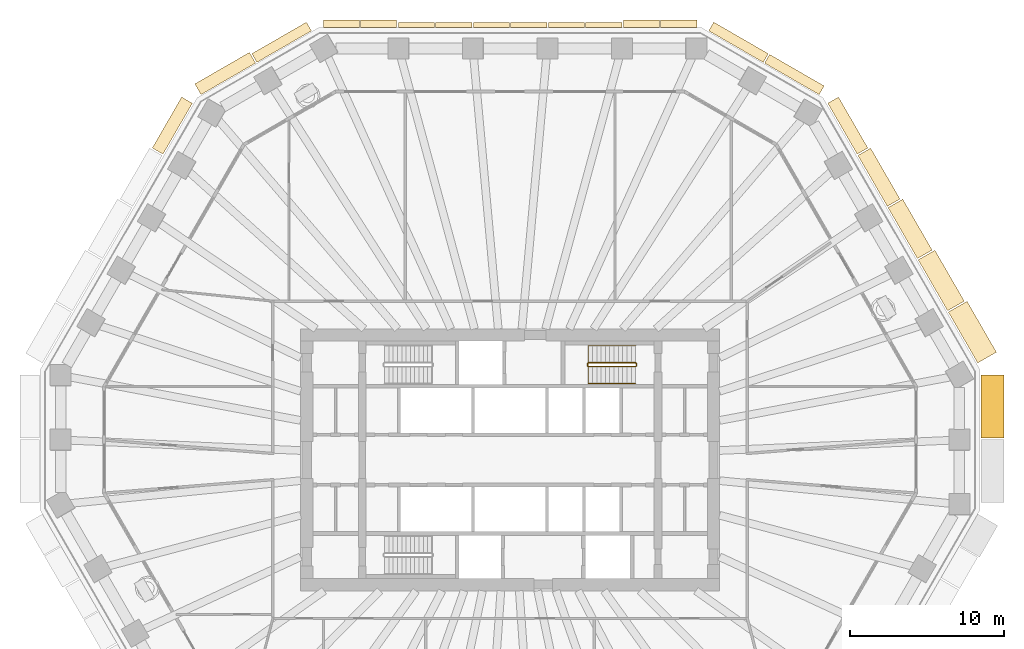
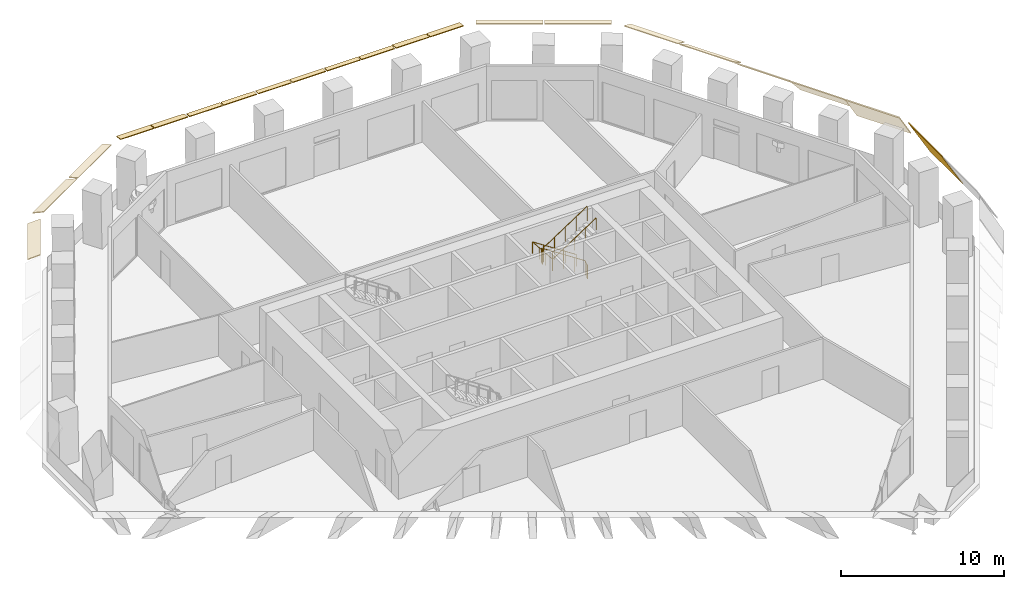
# One storey, part 10 of 12: 21 coverings, 2 railings.
"""IFC4 building model written with IfcOpenShell, lengths in metres."""

from ifc_helpers import new_model, si_unit, direction, frame, origin, origin_2d, place, context, subcontext, project, spatial, polyline, circle, outline, extrude, material, layer, layer_set, type_object, element, save


model = new_model("IFC4")

# Units and contexts
model_context = context("Model", 3, precision=1e-05, world=origin(), true_north=direction((0.0, 1.0)))
body_context = subcontext(model_context, "Body", "Model", "MODEL_VIEW")
ifc_project = project(units=[si_unit("LENGTHUNIT", "METRE"), si_unit("AREAUNIT", "SQUARE_METRE"), si_unit("VOLUMEUNIT", "CUBIC_METRE"), si_unit("PLANEANGLEUNIT", "RADIAN"), si_unit("MASSUNIT", "GRAM", prefix="KILO")], contexts=[model_context])

# Site, building, storey
site_placement = place(None, origin())
site = spatial("IfcSite", under=ifc_project, at=site_placement, CompositionType="ELEMENT")
building_placement = place(site_placement, origin())
building = spatial("IfcBuilding", under=site, at=building_placement, Name="Frailejon Research Tower", CompositionType="ELEMENT")
storey_placement = place(building_placement, frame((0.0, 0.0, 122.0)))
storey = spatial("IfcBuildingStorey", under=building, at=storey_placement, Name="L26", CompositionType="ELEMENT", Elevation=122.0)

# Coverings
ifc_material_1 = material(Name="Precast concrete C50/60", Category="concrete")
ifc_layer_1 = layer(ifc_material_1, 0.06005859375)
ifc_layer_set_1 = layer_set([ifc_layer_1], Name="Brim blade depth 1100")
covering_type_1 = type_object("IfcCoveringType", Name="Brim blade depth 1100", PredefinedType="CLADDING", material=ifc_layer_set_1)
covering_1_placement = place(storey_placement, frame((24.536376953125, 16.3671875, 4.25), z_axis=(0.500001217064, -0.866024701111, 0.0), x_axis=(0.866024701111, 0.500001217064, 0.0)))
element("IfcCovering", 1, at=covering_1_placement, inside=storey, type_object=covering_type_1, Name="Brim blade L26", PredefinedType="CLADDING", context=body_context, shape_type="SweptSolid", body=[
    extrude(outline(polyline([(0.0, -0.078369140625), (1.10009765625, -1.001220703125), (1.10009765625, -0.923095703125), (0.0, 0.0), (0.0, -0.078369140625)])), origin(), (0.0, 0.0, 1.0), 3.8125),
])
ifc_material_2 = material(Name="Precast concrete C50/60", Category="concrete")
ifc_layer_2 = layer(ifc_material_2, 0.06005859375)
ifc_layer_set_2 = layer_set([ifc_layer_2], Name="Brim blade depth 1250")
covering_type_2 = type_object("IfcCoveringType", Name="Brim blade depth 1250", PredefinedType="CLADDING", material=ifc_layer_set_2)
covering_2_placement = place(storey_placement, frame((26.49267578125, 12.97900390625, 4.25), z_axis=(0.499990149831, -0.866031090707, 0.0), x_axis=(0.866031090707, 0.499990149831, 0.0)))
element("IfcCovering", 2, at=covering_2_placement, inside=storey, type_object=covering_type_2, Name="Brim blade L26", PredefinedType="CLADDING", context=body_context, shape_type="SweptSolid", body=[
    extrude(outline(polyline([(0.0, -0.0888671875), (1.25, -1.452880859375), (1.25, -1.364013671875), (0.0, 0.0), (0.0, -0.0888671875)])), origin(), (0.0, 0.0, 1.0), 3.812744140625),
])
ifc_material_3 = material(Name="Precast concrete C50/60", Category="concrete")
ifc_layer_3 = layer(ifc_material_3, 0.06005859375)
ifc_layer_set_3 = layer_set([ifc_layer_3], Name="Brim blade depth 1400")
covering_type_3 = type_object("IfcCoveringType", Name="Brim blade depth 1400", PredefinedType="CLADDING", material=ifc_layer_set_3)
covering_3_placement = place(storey_placement, frame((28.448974609375, 9.59033203125, 4.25), z_axis=(0.500001217064, -0.866024701111, 0.0), x_axis=(0.866024701111, 0.500001217064, 0.0)))
element("IfcCovering", 3, at=covering_3_placement, inside=storey, type_object=covering_type_3, Name="Brim blade L26", PredefinedType="CLADDING", context=body_context, shape_type="SweptSolid", body=[
    extrude(outline(polyline([(0.0, -0.1044921875), (1.39990234375, -2.10400390625), (1.39990234375, -1.99951171875), (0.0, 0.0), (0.0, -0.1044921875)])), origin(), (0.0, 0.0, 1.0), 3.8125),
])
ifc_material_4 = material(Name="Precast concrete C50/60", Category="concrete")
ifc_layer_4 = layer(ifc_material_4, 0.06005859375)
ifc_layer_set_4 = layer_set([ifc_layer_4], Name="Brim blade depth 1500")
covering_type_4 = type_object("IfcCoveringType", Name="Brim blade depth 1500", PredefinedType="CLADDING", material=ifc_layer_set_4)
covering_4_placement = place(storey_placement, frame((30.56103515625, 5.520263671875, 4.25), z_axis=(0.0, -1.0, 0.0), x_axis=(1.0, 0.0, 0.0)))
element("IfcCovering", 4, at=covering_4_placement, inside=storey, type_object=covering_type_4, Name="Brim blade L26", PredefinedType="CLADDING", context=body_context, shape_type="SweptSolid", body=[
    extrude(outline(polyline([(0.0, -0.1201171875), (1.5, -2.718017578125), (1.5, -2.59814453125), (0.0, 0.0), (0.0, -0.1201171875)])), origin(), (0.0, 0.0, 1.0), 4.08740234375),
])
ifc_material_5 = material(Name="Precast concrete C50/60", Category="concrete")
ifc_layer_5 = layer(ifc_material_5, 0.06005859375)
ifc_layer_set_5 = layer_set([ifc_layer_5], Name="Brim blade depth 350")
covering_type_5 = type_object("IfcCoveringType", Name="Brim blade depth 350", PredefinedType="CLADDING", material=ifc_layer_set_5)
for number, where, z_axis, x_axis, name in (
    (5, (4.900634765625, 28.050048828125, 4.25), (1.0, 0.0, 0.0), (0.0, 1.0, 0.0), "Brim blade L26"),
    (6, (2.4853515625, 28.050048828125, 4.25), (1.0, 0.0, 0.0), (0.0, 1.0, 0.0), "Brim blade L26"),
    (7, (0.030029296875, 28.050048828125, 4.25), (1.0, 0.0, 0.0), (0.0, 1.0, 0.0), "Brim blade L26"),
    (8, (-2.38525390625, 28.050048828125, 4.25), (1.0, 0.0, 0.0), (0.0, 1.0, 0.0), "Brim blade L26"),
    (9, (-4.840576171875, 28.050048828125, 4.25), (1.0, 0.0, 0.0), (0.0, 1.0, 0.0), "Brim blade L26"),
    (10, (-7.255859375, 28.050048828125, 4.25), (1.0, 0.0, 0.0), (0.0, 1.0, 0.0), "Brim blade L26"),
):
    element("IfcCovering", number, at=place(storey_placement, frame(where, z_axis=z_axis, x_axis=x_axis)), inside=storey, type_object=covering_type_5, Name=name, PredefinedType="CLADDING", context=body_context, shape_type="SweptSolid", body=[
        extrude(outline(polyline([(0.0, -0.06005859375), (0.35009765625, -0.06005859375), (0.35009765625, 0.0), (0.0, 0.0), (0.0, -0.06005859375)])), origin(), (0.0, 0.0, 1.0), 2.355224609375),
    ])
ifc_material_6 = material(Name="Precast concrete C50/60", Category="concrete")
ifc_layer_6 = layer(ifc_material_6, 0.06005859375)
ifc_layer_set_6 = layer_set([ifc_layer_6], Name="Brim blade depth 500")
covering_type_6 = type_object("IfcCoveringType", Name="Brim blade depth 500", PredefinedType="CLADDING", material=ifc_layer_set_6)
for number, where, z_axis, x_axis, name in (
    (11, (9.771240234375, 28.050048828125, 4.25), (1.0, 0.0, 0.0), (0.0, 1.0, 0.0), "Brim blade L26"),
    (12, (7.35595703125, 28.050048828125, 4.25), (1.0, 0.0, 0.0), (0.0, 1.0, 0.0), "Brim blade L26"),
    (13, (-9.711181640625, 28.050048828125, 4.25), (1.0, 0.0, 0.0), (0.0, 1.0, 0.0), "Brim blade L26"),
    (14, (-12.12646484375, 28.050048828125, 4.25), (1.0, 0.0, 0.0), (0.0, 1.0, 0.0), "Brim blade L26"),
):
    element("IfcCovering", number, at=place(storey_placement, frame(where, z_axis=z_axis, x_axis=x_axis)), inside=storey, type_object=covering_type_6, Name=name, PredefinedType="CLADDING", context=body_context, shape_type="SweptSolid", body=[
        extrude(outline(polyline([(0.0, -0.060546875), (0.5, -0.130859375), (0.5, -0.0703125), (0.0, 0.0), (0.0, -0.060546875)])), origin(), (0.0, 0.0, 1.0), 2.355224609375),
    ])
ifc_material_7 = material(Name="Precast concrete C50/60", Category="concrete")
ifc_layer_7 = layer(ifc_material_7, 0.06005859375)
ifc_layer_set_7 = layer_set([ifc_layer_7], Name="Brim blade depth 650")
covering_type_7 = type_object("IfcCoveringType", Name="Brim blade depth 650", PredefinedType="CLADDING", material=ifc_layer_set_7)
covering_5_placement = place(storey_placement, frame((16.521484375, 25.750244140625, 4.25), z_axis=(0.866021344981, -0.500007029989, 0.0), x_axis=(0.500007029989, 0.866021344981, 0.0)))
element("IfcCovering", 15, at=covering_5_placement, inside=storey, type_object=covering_type_7, Name="Brim blade L26", PredefinedType="CLADDING", context=body_context, shape_type="SweptSolid", body=[
    extrude(outline(polyline([(0.0, -0.0625), (0.64990234375, -0.248779296875), (0.64990234375, -0.186279296875), (0.0, 0.0), (0.0, -0.0625)])), origin(), (0.0, 0.0, 1.0), 4.08740234375),
])
for number, where, z_axis, x_axis, name in (
    (16, (12.894775390625, 27.843994140625, 4.25), (0.866027315287, -0.499996689166, 0.0), (0.499996689166, 0.866027315287, 0.0), "Brim blade L26"),
    (17, (-16.434814453125, 25.80029296875, 4.25), (0.866027315287, 0.499996689166, 0.0), (-0.499996689166, 0.866027315287, 0.0), "Brim blade L26"),
):
    element("IfcCovering", number, at=place(storey_placement, frame(where, z_axis=z_axis, x_axis=x_axis)), inside=storey, type_object=covering_type_7, Name=name, PredefinedType="CLADDING", context=body_context, shape_type="SweptSolid", body=[
        extrude(outline(polyline([(0.0, -0.0625), (0.64990234375, -0.248779296875), (0.64990234375, -0.186279296875), (0.0, 0.0), (0.0, -0.0625)])), origin(), (0.0, 0.0, 1.0), 4.087646484375),
    ])
ifc_material_8 = material(Name="Precast concrete C50/60", Category="concrete")
ifc_layer_8 = layer(ifc_material_8, 0.06005859375)
ifc_layer_set_8 = layer_set([ifc_layer_8], Name="Brim blade depth 800")
covering_type_8 = type_object("IfcCoveringType", Name="Brim blade depth 800", PredefinedType="CLADDING", material=ifc_layer_set_8)
covering_6_placement = place(storey_placement, frame((20.623779296875, 23.14404296875, 4.25), z_axis=(0.500001217064, -0.866024701111, 0.0), x_axis=(0.866024701111, 0.500001217064, 0.0)))
element("IfcCovering", 18, at=covering_6_placement, inside=storey, type_object=covering_type_8, Name="Brim blade L26", PredefinedType="CLADDING", context=body_context, shape_type="SweptSolid", body=[
    extrude(outline(polyline([(0.0, -0.065673828125), (0.800048828125, -0.421875), (0.800048828125, -0.356201171875), (0.0, 0.0), (0.0, -0.065673828125)])), origin(), (0.0, 0.0, 1.0), 3.8125),
])
covering_7_placement = place(storey_placement, frame((-20.061279296875, 23.70654296875, 4.25), z_axis=(0.866021344981, 0.500007029989, 0.0), x_axis=(-0.500007029989, 0.866021344981, 0.0)))
element("IfcCovering", 19, at=covering_7_placement, inside=storey, type_object=covering_type_8, Name="Brim blade L26", PredefinedType="CLADDING", context=body_context, shape_type="SweptSolid", body=[
    extrude(outline(polyline([(0.0, -0.065673828125), (0.800048828125, -0.421875), (0.800048828125, -0.356201171875), (0.0, 0.0), (0.0, -0.065673828125)])), origin(), (0.0, 0.0, 1.0), 4.08740234375),
])
covering_8_placement = place(storey_placement, frame((-22.530029296875, 19.84228515625, 4.25), z_axis=(0.500001217064, 0.866024701111, 0.0), x_axis=(-0.866024701111, 0.500001217064, 0.0)))
element("IfcCovering", 20, at=covering_8_placement, inside=storey, type_object=covering_type_8, Name="Brim blade L26", PredefinedType="CLADDING", context=body_context, shape_type="SweptSolid", body=[
    extrude(outline(polyline([(0.0, -0.065673828125), (0.800048828125, -0.421875), (0.800048828125, -0.356201171875), (0.0, 0.0), (0.0, -0.065673828125)])), origin(), (0.0, 0.0, 1.0), 3.8125),
])
ifc_material_9 = material(Name="Precast concrete C50/60", Category="concrete")
ifc_layer_9 = layer(ifc_material_9, 0.06005859375)
ifc_layer_set_9 = layer_set([ifc_layer_9], Name="Brim blade depth 950")
covering_type_9 = type_object("IfcCoveringType", Name="Brim blade depth 950", PredefinedType="CLADDING", material=ifc_layer_set_9)
covering_9_placement = place(storey_placement, frame((22.580078125, 19.755615234375, 4.25), z_axis=(0.500001217064, -0.866024701111, 0.0), x_axis=(0.866024701111, 0.500001217064, 0.0)))
element("IfcCovering", 21, at=covering_9_placement, inside=storey, type_object=covering_type_9, Name="Brim blade L26", PredefinedType="CLADDING", context=body_context, shape_type="SweptSolid", body=[
    extrude(outline(polyline([(0.0, -0.07080078125), (0.949951171875, -0.664306640625), (0.949951171875, -0.593505859375), (0.0, 0.0), (0.0, -0.07080078125)])), origin(), (0.0, 0.0, 1.0), 3.8125),
])

# Railings
ifc_material_10 = material(Name="Stainless steel", Category="steel")
railing_type_1 = type_object("IfcRailingType", Name="Stair guard 1100", PredefinedType="GUARDRAIL", material=ifc_material_10)
railing_1_placement = place(storey_placement, frame((8.199951171875, 6.10009765625, 0.0)))
element("IfcRailing", 22, at=railing_1_placement, inside=storey, type_object=railing_type_1, Name="L26 ST3 stair guard 1", PredefinedType="GUARDRAIL", context=body_context, shape_type="SweptSolid", body=[
    extrude(circle(Radius=0.02392578125, at=origin_2d()), frame((0.0, 0.0, 1.076171875), z_axis=(0.0, 1.0, 0.0), x_axis=(-1.0, 0.0, 0.0)), (0.0, 0.0, 1.0), 0.14990234375),
    extrude(circle(Radius=0.02392578125, at=origin_2d()), frame((0.0, 0.14990234375, 1.076171875), z_axis=(-0.254653276557, 0.254653276557, 0.932900539971), x_axis=(-0.707106781187, -0.707106781187, 0.0)), (0.0, 0.0, 1.0), 0.196533203125),
    extrude(circle(Radius=0.02392578125, at=origin_2d()), frame((-0.050048828125, 0.199951171875, 1.25927734375), z_axis=(-0.836613101238, 0.0, 0.547794230379), x_axis=(0.0, -1.0, 0.0)), (0.0, 0.0, 1.0), 3.681396484375),
    extrude(circle(Radius=0.02392578125, at=origin_2d()), frame((-3.1298828125, 0.199951171875, 3.27587890625), z_axis=(-0.707106781187, -0.707106781187, 0.0), x_axis=(0.707106781187, -0.707106781187, 0.0)), (0.0, 0.0, 1.0), 0.07080078125),
    extrude(circle(Radius=0.02392578125, at=origin_2d()), frame((-3.179931640625, 0.14990234375, 3.27587890625), z_axis=(0.0, -1.0, 0.0), x_axis=(1.0, 0.0, 0.0)), (0.0, 0.0, 1.0), 0.14990234375),
    extrude(circle(Radius=0.02392578125, at=origin_2d()), frame((-3.179931640625, 0.0, 3.27587890625), z_axis=(0.254653276557, -0.254653276557, 0.932900539971), x_axis=(0.707106781187, 0.707106781187, 0.0)), (0.0, 0.0, 1.0), 0.196533203125),
    extrude(circle(Radius=0.02392578125, at=origin_2d()), frame((-3.1298828125, -0.050048828125, 3.45947265625), z_axis=(0.836613101238, 0.0, 0.547794230379), x_axis=(0.0, 1.0, 0.0)), (0.0, 0.0, 1.0), 3.681396484375),
    extrude(circle(Radius=0.02099609375, at=origin_2d()), origin(), (0.0, 0.0, 1.0), 1.052001953125),
    extrude(circle(Radius=0.02099609375, at=origin_2d()), frame((0.0, 0.14990234375, 0.0)), (0.0, 0.0, 1.0), 1.052001953125),
    extrude(circle(Radius=0.02099609375, at=origin_2d()), frame((-0.050048828125, 0.199951171875, 0.183349609375)), (0.0, 0.0, 1.0), 1.052001953125),
    extrude(circle(Radius=0.02099609375, at=origin_2d()), frame((-0.820068359375, 0.199951171875, 0.6875)), (0.0, 0.0, 1.0), 1.052001953125),
    extrude(circle(Radius=0.02099609375, at=origin_2d()), frame((-1.58984375, 0.199951171875, 1.191650390625)), (0.0, 0.0, 1.0), 1.052001953125),
    extrude(circle(Radius=0.02099609375, at=origin_2d()), frame((-2.35986328125, 0.199951171875, 1.69580078125)), (0.0, 0.0, 1.0), 1.052001953125),
    extrude(circle(Radius=0.02099609375, at=origin_2d()), frame((-3.1298828125, 0.199951171875, 2.199951171875)), (0.0, 0.0, 1.0), 1.052001953125),
    extrude(circle(Radius=0.02099609375, at=origin_2d()), frame((-3.179931640625, 0.14990234375, 2.199951171875)), (0.0, 0.0, 1.0), 1.052001953125),
    extrude(circle(Radius=0.02099609375, at=origin_2d()), frame((-3.179931640625, 0.0, 2.199951171875)), (0.0, 0.0, 1.0), 1.052001953125),
    extrude(circle(Radius=0.02099609375, at=origin_2d()), frame((-3.1298828125, -0.050048828125, 2.38330078125)), (0.0, 0.0, 1.0), 1.052001953125),
    extrude(circle(Radius=0.02099609375, at=origin_2d()), frame((-2.35986328125, -0.050048828125, 2.887451171875)), (0.0, 0.0, 1.0), 1.052001953125),
    extrude(circle(Radius=0.02099609375, at=origin_2d()), frame((-1.58984375, -0.050048828125, 3.3916015625)), (0.0, 0.0, 1.0), 1.052001953125),
    extrude(circle(Radius=0.02099609375, at=origin_2d()), frame((-0.820068359375, -0.050048828125, 3.895751953125)), (0.0, 0.0, 1.0), 1.052001953125),
    extrude(circle(Radius=0.02099609375, at=origin_2d()), frame((-0.050048828125, -0.050048828125, 4.39990234375)), (0.0, 0.0, 1.0), 1.052001953125),
])
ifc_material_11 = material(Name="Stainless steel", Category="steel")
railing_type_2 = type_object("IfcRailingType", Name="Stair handrail 900", PredefinedType="HANDRAIL", material=ifc_material_11)
railing_2_placement = place(storey_placement, frame((8.14990234375, 7.39990234375, 0.183349609375)))
element("IfcRailing", 23, at=railing_2_placement, inside=storey, type_object=railing_type_2, Name="L26 ST3 stair handrail 1", PredefinedType="HANDRAIL", context=body_context, shape_type="SweptSolid", body=[
    extrude(circle(Radius=0.02392578125, at=origin_2d()), frame((0.0, 0.0, 0.8759765625), z_axis=(-0.836613101238, 0.0, 0.547794230379), x_axis=(0.0, -1.0, 0.0)), (0.0, 0.0, 1.0), 3.681396484375),
    extrude(circle(Radius=0.02392578125, at=origin_2d()), frame((-3.079833984375, 0.0, 2.892578125), z_axis=(0.0, -0.99721134034, 0.074629368868), x_axis=(1.0, 0.0, 0.0)), (0.0, 0.0, 1.0), 2.456787109375),
    extrude(circle(Radius=0.02392578125, at=origin_2d()), frame((-3.079833984375, -2.449951171875, 3.07568359375), z_axis=(0.836613101238, 0.0, 0.547794230379), x_axis=(0.0, 1.0, 0.0)), (0.0, 0.0, 1.0), 3.681396484375),
    extrude(circle(Radius=0.02099609375, at=origin_2d()), origin(), (0.0, 0.0, 1.0), 0.851806640625),
    extrude(circle(Radius=0.02099609375, at=origin_2d()), frame((-0.77001953125, 0.0, 0.504150390625)), (0.0, 0.0, 1.0), 0.851806640625),
    extrude(circle(Radius=0.02099609375, at=origin_2d()), frame((-1.5400390625, 0.0, 1.00830078125)), (0.0, 0.0, 1.0), 0.851806640625),
    extrude(circle(Radius=0.02099609375, at=origin_2d()), frame((-2.309814453125, 0.0, 1.512451171875)), (0.0, 0.0, 1.0), 0.851806640625),
    extrude(circle(Radius=0.02099609375, at=origin_2d()), frame((-3.079833984375, 0.0, 2.0166015625)), (0.0, 0.0, 1.0), 0.851806640625),
    extrude(circle(Radius=0.02099609375, at=origin_2d()), frame((-3.079833984375, -0.816650390625, 2.07763671875)), (0.0, 0.0, 1.0), 0.851806640625),
    extrude(circle(Radius=0.02099609375, at=origin_2d()), frame((-3.079833984375, -1.63330078125, 2.138916015625)), (0.0, 0.0, 1.0), 0.851806640625),
    extrude(circle(Radius=0.02099609375, at=origin_2d()), frame((-3.079833984375, -2.449951171875, 2.199951171875)), (0.0, 0.0, 1.0), 0.851806640625),
    extrude(circle(Radius=0.02099609375, at=origin_2d()), frame((-2.309814453125, -2.449951171875, 2.7041015625)), (0.0, 0.0, 1.0), 0.851806640625),
    extrude(circle(Radius=0.02099609375, at=origin_2d()), frame((-1.5400390625, -2.449951171875, 3.208251953125)), (0.0, 0.0, 1.0), 0.851806640625),
    extrude(circle(Radius=0.02099609375, at=origin_2d()), frame((-0.77001953125, -2.449951171875, 3.71240234375)), (0.0, 0.0, 1.0), 0.851806640625),
    extrude(circle(Radius=0.02099609375, at=origin_2d()), frame((0.0, -2.449951171875, 4.216552734375)), (0.0, 0.0, 1.0), 0.851806640625),
])

save(model, "model.ifc")
